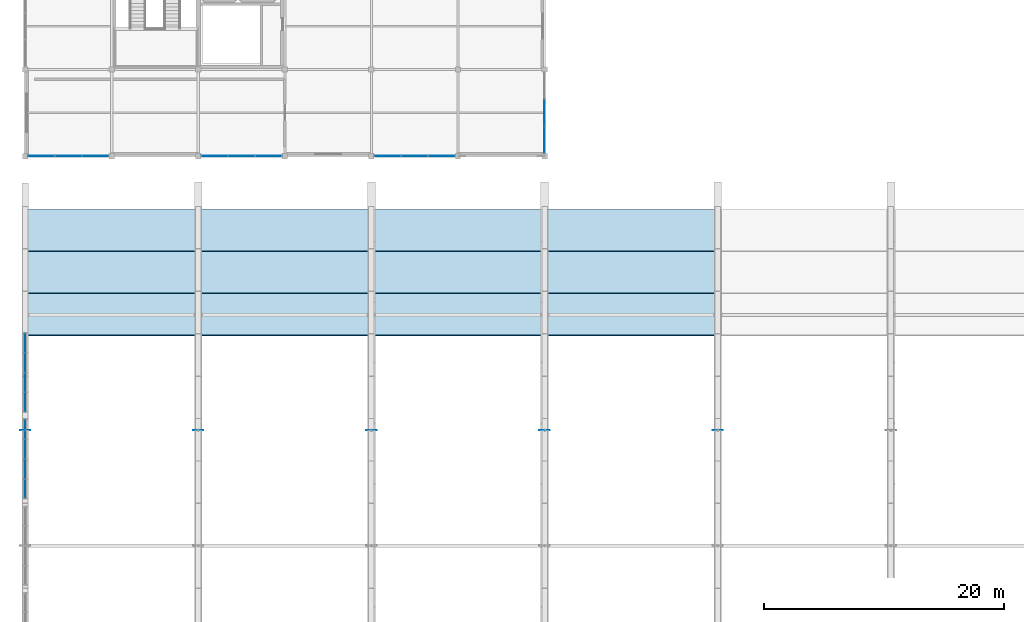
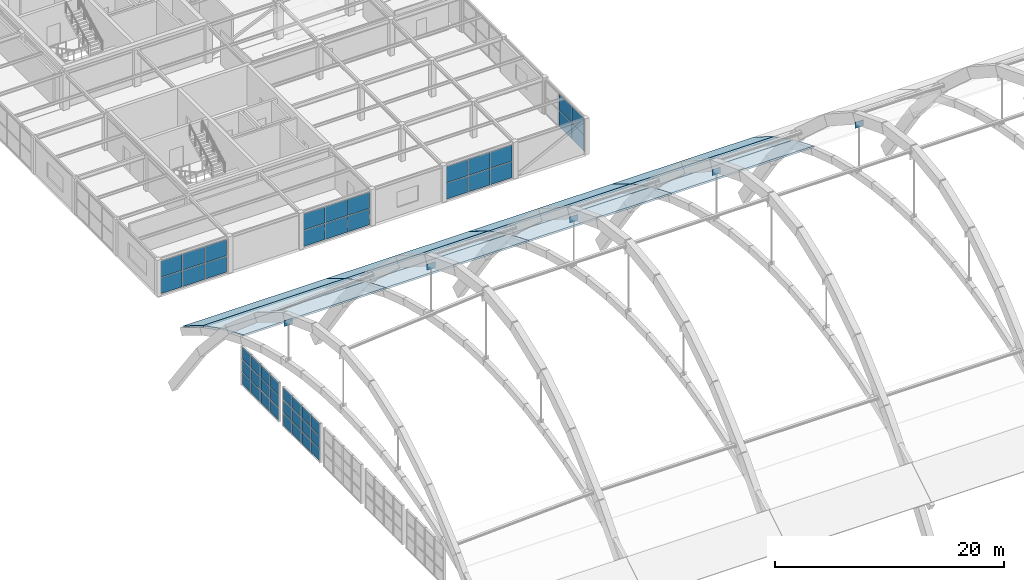
# One storey, part 40 of 64: 51 plates, 12 slabs, 6 elements without a shape of their own.
"""IFC4 building model written with IfcOpenShell, lengths in metres."""

from ifc_helpers import new_model, si_unit, direction, frame, origin, origin_2d, place, context, subcontext, project, spatial, polyline, rectangle, outline, extrude, material, layer, layer_set, type_object, element, aggregate, save


model = new_model("IFC4")

# Units and contexts
model_context = context("Model", 3, precision=1e-05, world=origin(), true_north=direction((0.0, 1.0)))
body_context = subcontext(model_context, "Body", "Model", "MODEL_VIEW")
ifc_project = project(units=[si_unit("LENGTHUNIT", "METRE"), si_unit("AREAUNIT", "SQUARE_METRE"), si_unit("VOLUMEUNIT", "CUBIC_METRE"), si_unit("PLANEANGLEUNIT", "RADIAN"), si_unit("MASSUNIT", "GRAM", prefix="KILO")], contexts=[model_context])

# Site, building, storey
site_placement = place(None, origin())
site = spatial("IfcSite", under=ifc_project, at=site_placement, CompositionType="ELEMENT")
building_placement = place(site_placement, origin())
building = spatial("IfcBuilding", under=site, at=building_placement, Name="Leyfeld Transit Interchange", CompositionType="ELEMENT")
storey_placement = place(building_placement, frame((0.0, 0.0, 9.60009765625)))
storey = spatial("IfcBuildingStorey", under=building, at=storey_placement, Name="L02", CompositionType="ELEMENT", Elevation=9.60009765625)

# Curtain wall, plates
ifc_material_1 = material(Name="Anodised aluminium EN AW-6060 T66", Category="aluminium")
curtain_wall_type_1 = type_object("IfcCurtainWallType", Name="CW-SYS-GAB-7200", PredefinedType="NOTDEFINED", material=ifc_material_1)
curtain_wall_1_placement = place(storey_placement, origin())
curtain_wall_1 = element("IfcCurtainWall", 1, at=curtain_wall_1_placement, inside=storey, type_object=curtain_wall_type_1, Name="Curtain Wall CW-L02-GABW-04", PredefinedType="NOTDEFINED")
ifc_material_2 = material(Name="Laminated safety acoustic glazing", Category="glass")
ifc_layer_1 = layer(ifc_material_2, 0.048095703125, Name="Laminated safety acoustic glazing")
ifc_layer_set_1 = layer_set([ifc_layer_1], Name="Laminated safety acoustic glazing")
plate_type_1 = type_object("IfcPlateType", Name="CW-PNL-ACU-48", PredefinedType="CURTAIN_PANEL", material=ifc_layer_set_1)
plate_1_placement = place(storey_placement, frame((0.0, 37.146240234375, -0.5166015625), z_axis=(0.0, 0.0, 1.0), x_axis=(0.0, 1.0, 0.0)))
plate_1 = element("IfcPlate", 2, at=plate_1_placement, type_object=plate_type_1, Name="Glazed Curtain Panel CW-L02-GABW-04-P01_1", PredefinedType="CURTAIN_PANEL", context=body_context, shape_type="SweptSolid", body=[
    extrude(rectangle(XDim=1.525390625, YDim=0.048095703125, at=origin_2d()), origin(), (0.0, 0.0, 1.0), 1.289794921875),
])
plate_2_placement = place(storey_placement, frame((0.0, 37.146240234375, 0.855224609375), z_axis=(0.0, 0.0, 1.0), x_axis=(0.0, 1.0, 0.0)))
plate_2 = element("IfcPlate", 3, at=plate_2_placement, type_object=plate_type_1, Name="Glazed Curtain Panel CW-L02-GABW-04-P01_2", PredefinedType="CURTAIN_PANEL", context=body_context, shape_type="SweptSolid", body=[
    extrude(rectangle(XDim=1.525390625, YDim=0.048095703125, at=origin_2d()), origin(), (0.0, 0.0, 1.0), 1.28955078125),
])
plate_3_placement = place(storey_placement, frame((0.0, 37.146240234375, 2.2265625), z_axis=(0.0, 0.0, 1.0), x_axis=(0.0, 1.0, 0.0)))
plate_3 = element("IfcPlate", 4, at=plate_3_placement, type_object=plate_type_1, Name="Glazed Curtain Panel CW-L02-GABW-04-P01_3", PredefinedType="CURTAIN_PANEL", context=body_context, shape_type="SweptSolid", body=[
    extrude(rectangle(XDim=1.525390625, YDim=0.048095703125, at=origin_2d()), origin(), (0.0, 0.0, 1.0), 1.289794921875),
])
plate_4_placement = place(storey_placement, frame((0.0, 38.77490234375, -0.5166015625), z_axis=(0.0, 0.0, 1.0), x_axis=(0.0, 1.0, 0.0)))
plate_4 = element("IfcPlate", 5, at=plate_4_placement, type_object=plate_type_1, Name="Glazed Curtain Panel CW-L02-GABW-04-P02_1", PredefinedType="CURTAIN_PANEL", context=body_context, shape_type="SweptSolid", body=[
    extrude(rectangle(XDim=1.568115234375, YDim=0.048095703125, at=origin_2d()), origin(), (0.0, 0.0, 1.0), 1.289794921875),
])
plate_5_placement = place(storey_placement, frame((0.0, 38.77490234375, 0.855224609375), z_axis=(0.0, 0.0, 1.0), x_axis=(0.0, 1.0, 0.0)))
plate_5 = element("IfcPlate", 6, at=plate_5_placement, type_object=plate_type_1, Name="Glazed Curtain Panel CW-L02-GABW-04-P02_2", PredefinedType="CURTAIN_PANEL", context=body_context, shape_type="SweptSolid", body=[
    extrude(rectangle(XDim=1.568115234375, YDim=0.048095703125, at=origin_2d()), origin(), (0.0, 0.0, 1.0), 1.28955078125),
])
plate_6_placement = place(storey_placement, frame((0.0, 38.77490234375, 2.2265625), z_axis=(0.0, 0.0, 1.0), x_axis=(0.0, 1.0, 0.0)))
plate_6 = element("IfcPlate", 7, at=plate_6_placement, type_object=plate_type_1, Name="Glazed Curtain Panel CW-L02-GABW-04-P02_3", PredefinedType="CURTAIN_PANEL", context=body_context, shape_type="SweptSolid", body=[
    extrude(rectangle(XDim=1.568115234375, YDim=0.048095703125, at=origin_2d()), origin(), (0.0, 0.0, 1.0), 1.289794921875),
])
plate_7_placement = place(storey_placement, frame((0.0, 40.425048828125, -0.5166015625), z_axis=(0.0, 0.0, 1.0), x_axis=(0.0, 1.0, 0.0)))
plate_7 = element("IfcPlate", 8, at=plate_7_placement, type_object=plate_type_1, Name="Glazed Curtain Panel CW-L02-GABW-04-P03_1", PredefinedType="CURTAIN_PANEL", context=body_context, shape_type="SweptSolid", body=[
    extrude(rectangle(XDim=1.568115234375, YDim=0.048095703125, at=origin_2d()), origin(), (0.0, 0.0, 1.0), 1.289794921875),
])
plate_8_placement = place(storey_placement, frame((0.0, 40.425048828125, 0.855224609375), z_axis=(0.0, 0.0, 1.0), x_axis=(0.0, 1.0, 0.0)))
plate_8 = element("IfcPlate", 9, at=plate_8_placement, type_object=plate_type_1, Name="Glazed Curtain Panel CW-L02-GABW-04-P03_2", PredefinedType="CURTAIN_PANEL", context=body_context, shape_type="SweptSolid", body=[
    extrude(rectangle(XDim=1.568115234375, YDim=0.048095703125, at=origin_2d()), origin(), (0.0, 0.0, 1.0), 1.28955078125),
])
plate_9_placement = place(storey_placement, frame((0.0, 40.425048828125, 2.2265625), z_axis=(0.0, 0.0, 1.0), x_axis=(0.0, 1.0, 0.0)))
plate_9 = element("IfcPlate", 10, at=plate_9_placement, type_object=plate_type_1, Name="Glazed Curtain Panel CW-L02-GABW-04-P03_3", PredefinedType="CURTAIN_PANEL", context=body_context, shape_type="SweptSolid", body=[
    extrude(rectangle(XDim=1.568115234375, YDim=0.048095703125, at=origin_2d()), origin(), (0.0, 0.0, 1.0), 1.289794921875),
])
plate_10_placement = place(storey_placement, frame((0.0, 42.0537109375, -0.5166015625), z_axis=(0.0, 0.0, 1.0), x_axis=(0.0, 1.0, 0.0)))
plate_10 = element("IfcPlate", 11, at=plate_10_placement, type_object=plate_type_1, Name="Glazed Curtain Panel CW-L02-GABW-04-P04_1", PredefinedType="CURTAIN_PANEL", context=body_context, shape_type="SweptSolid", body=[
    extrude(rectangle(XDim=1.525390625, YDim=0.048095703125, at=origin_2d()), origin(), (0.0, 0.0, 1.0), 1.289794921875),
])
plate_11_placement = place(storey_placement, frame((0.0, 42.0537109375, 0.855224609375), z_axis=(0.0, 0.0, 1.0), x_axis=(0.0, 1.0, 0.0)))
plate_11 = element("IfcPlate", 12, at=plate_11_placement, type_object=plate_type_1, Name="Glazed Curtain Panel CW-L02-GABW-04-P04_2", PredefinedType="CURTAIN_PANEL", context=body_context, shape_type="SweptSolid", body=[
    extrude(rectangle(XDim=1.525390625, YDim=0.048095703125, at=origin_2d()), origin(), (0.0, 0.0, 1.0), 1.28955078125),
])
plate_12_placement = place(storey_placement, frame((0.0, 42.0537109375, 2.2265625), z_axis=(0.0, 0.0, 1.0), x_axis=(0.0, 1.0, 0.0)))
plate_12 = element("IfcPlate", 13, at=plate_12_placement, type_object=plate_type_1, Name="Glazed Curtain Panel CW-L02-GABW-04-P04_3", PredefinedType="CURTAIN_PANEL", context=body_context, shape_type="SweptSolid", body=[
    extrude(rectangle(XDim=1.525390625, YDim=0.048095703125, at=origin_2d()), origin(), (0.0, 0.0, 1.0), 1.289794921875),
])
aggregate(curtain_wall_1, [plate_1, plate_2, plate_3, plate_4, plate_5, plate_6, plate_7, plate_8, plate_9, plate_10, plate_11, plate_12])

curtain_wall_2_placement = place(storey_placement, origin())
curtain_wall_2 = element("IfcCurtainWall", 14, at=curtain_wall_2_placement, inside=storey, type_object=curtain_wall_type_1, Name="Curtain Wall CW-L02-GABW-05", PredefinedType="NOTDEFINED")
plate_13_placement = place(storey_placement, frame((0.0, 44.34619140625, -0.5166015625), z_axis=(0.0, 0.0, 1.0), x_axis=(0.0, 1.0, 0.0)))
plate_13 = element("IfcPlate", 15, at=plate_13_placement, type_object=plate_type_1, Name="Glazed Curtain Panel CW-L02-GABW-05-P01_1", PredefinedType="CURTAIN_PANEL", context=body_context, shape_type="SweptSolid", body=[
    extrude(rectangle(XDim=1.525390625, YDim=0.048095703125, at=origin_2d()), origin(), (0.0, 0.0, 1.0), 1.289794921875),
])
plate_14_placement = place(storey_placement, frame((0.0, 44.34619140625, 0.855224609375), z_axis=(0.0, 0.0, 1.0), x_axis=(0.0, 1.0, 0.0)))
plate_14 = element("IfcPlate", 16, at=plate_14_placement, type_object=plate_type_1, Name="Glazed Curtain Panel CW-L02-GABW-05-P01_2", PredefinedType="CURTAIN_PANEL", context=body_context, shape_type="SweptSolid", body=[
    extrude(rectangle(XDim=1.525390625, YDim=0.048095703125, at=origin_2d()), origin(), (0.0, 0.0, 1.0), 1.28955078125),
])
plate_15_placement = place(storey_placement, frame((0.0, 44.34619140625, 2.2265625), z_axis=(0.0, 0.0, 1.0), x_axis=(0.0, 1.0, 0.0)))
plate_15 = element("IfcPlate", 17, at=plate_15_placement, type_object=plate_type_1, Name="Glazed Curtain Panel CW-L02-GABW-05-P01_3", PredefinedType="CURTAIN_PANEL", context=body_context, shape_type="SweptSolid", body=[
    extrude(rectangle(XDim=1.525390625, YDim=0.048095703125, at=origin_2d()), origin(), (0.0, 0.0, 1.0), 1.289794921875),
])
plate_16_placement = place(storey_placement, frame((0.0, 45.97509765625, -0.5166015625), z_axis=(0.0, 0.0, 1.0), x_axis=(0.0, 1.0, 0.0)))
plate_16 = element("IfcPlate", 18, at=plate_16_placement, type_object=plate_type_1, Name="Glazed Curtain Panel CW-L02-GABW-05-P02_1", PredefinedType="CURTAIN_PANEL", context=body_context, shape_type="SweptSolid", body=[
    extrude(rectangle(XDim=1.568115234375, YDim=0.048095703125, at=origin_2d()), origin(), (0.0, 0.0, 1.0), 1.289794921875),
])
plate_17_placement = place(storey_placement, frame((0.0, 45.97509765625, 0.855224609375), z_axis=(0.0, 0.0, 1.0), x_axis=(0.0, 1.0, 0.0)))
plate_17 = element("IfcPlate", 19, at=plate_17_placement, type_object=plate_type_1, Name="Glazed Curtain Panel CW-L02-GABW-05-P02_2", PredefinedType="CURTAIN_PANEL", context=body_context, shape_type="SweptSolid", body=[
    extrude(rectangle(XDim=1.568115234375, YDim=0.048095703125, at=origin_2d()), origin(), (0.0, 0.0, 1.0), 1.28955078125),
])
plate_18_placement = place(storey_placement, frame((0.0, 45.97509765625, 2.2265625), z_axis=(0.0, 0.0, 1.0), x_axis=(0.0, 1.0, 0.0)))
plate_18 = element("IfcPlate", 20, at=plate_18_placement, type_object=plate_type_1, Name="Glazed Curtain Panel CW-L02-GABW-05-P02_3", PredefinedType="CURTAIN_PANEL", context=body_context, shape_type="SweptSolid", body=[
    extrude(rectangle(XDim=1.568115234375, YDim=0.048095703125, at=origin_2d()), origin(), (0.0, 0.0, 1.0), 1.289794921875),
])
plate_19_placement = place(storey_placement, frame((0.0, 47.625, -0.5166015625), z_axis=(0.0, 0.0, 1.0), x_axis=(0.0, 1.0, 0.0)))
plate_19 = element("IfcPlate", 21, at=plate_19_placement, type_object=plate_type_1, Name="Glazed Curtain Panel CW-L02-GABW-05-P03_1", PredefinedType="CURTAIN_PANEL", context=body_context, shape_type="SweptSolid", body=[
    extrude(rectangle(XDim=1.568115234375, YDim=0.048095703125, at=origin_2d()), origin(), (0.0, 0.0, 1.0), 1.289794921875),
])
plate_20_placement = place(storey_placement, frame((0.0, 47.625, 0.855224609375), z_axis=(0.0, 0.0, 1.0), x_axis=(0.0, 1.0, 0.0)))
plate_20 = element("IfcPlate", 22, at=plate_20_placement, type_object=plate_type_1, Name="Glazed Curtain Panel CW-L02-GABW-05-P03_2", PredefinedType="CURTAIN_PANEL", context=body_context, shape_type="SweptSolid", body=[
    extrude(rectangle(XDim=1.568115234375, YDim=0.048095703125, at=origin_2d()), origin(), (0.0, 0.0, 1.0), 1.28955078125),
])
plate_21_placement = place(storey_placement, frame((0.0, 47.625, 2.2265625), z_axis=(0.0, 0.0, 1.0), x_axis=(0.0, 1.0, 0.0)))
plate_21 = element("IfcPlate", 23, at=plate_21_placement, type_object=plate_type_1, Name="Glazed Curtain Panel CW-L02-GABW-05-P03_3", PredefinedType="CURTAIN_PANEL", context=body_context, shape_type="SweptSolid", body=[
    extrude(rectangle(XDim=1.568115234375, YDim=0.048095703125, at=origin_2d()), origin(), (0.0, 0.0, 1.0), 1.289794921875),
])
plate_22_placement = place(storey_placement, frame((0.0, 49.253662109375, -0.5166015625), z_axis=(0.0, 0.0, 1.0), x_axis=(0.0, 1.0, 0.0)))
plate_22 = element("IfcPlate", 24, at=plate_22_placement, type_object=plate_type_1, Name="Glazed Curtain Panel CW-L02-GABW-05-P04_1", PredefinedType="CURTAIN_PANEL", context=body_context, shape_type="SweptSolid", body=[
    extrude(rectangle(XDim=1.525390625, YDim=0.048095703125, at=origin_2d()), origin(), (0.0, 0.0, 1.0), 1.289794921875),
])
plate_23_placement = place(storey_placement, frame((0.0, 49.253662109375, 0.855224609375), z_axis=(0.0, 0.0, 1.0), x_axis=(0.0, 1.0, 0.0)))
plate_23 = element("IfcPlate", 25, at=plate_23_placement, type_object=plate_type_1, Name="Glazed Curtain Panel CW-L02-GABW-05-P04_2", PredefinedType="CURTAIN_PANEL", context=body_context, shape_type="SweptSolid", body=[
    extrude(rectangle(XDim=1.525390625, YDim=0.048095703125, at=origin_2d()), origin(), (0.0, 0.0, 1.0), 1.28955078125),
])
plate_24_placement = place(storey_placement, frame((0.0, 49.253662109375, 2.2265625), z_axis=(0.0, 0.0, 1.0), x_axis=(0.0, 1.0, 0.0)))
plate_24 = element("IfcPlate", 26, at=plate_24_placement, type_object=plate_type_1, Name="Glazed Curtain Panel CW-L02-GABW-05-P04_3", PredefinedType="CURTAIN_PANEL", context=body_context, shape_type="SweptSolid", body=[
    extrude(rectangle(XDim=1.525390625, YDim=0.048095703125, at=origin_2d()), origin(), (0.0, 0.0, 1.0), 1.289794921875),
])
aggregate(curtain_wall_2, [plate_13, plate_14, plate_15, plate_16, plate_17, plate_18, plate_19, plate_20, plate_21, plate_22, plate_23, plate_24])

curtain_wall_type_2 = type_object("IfcCurtainWallType", Name="CW-SYS-CYC-7200", PredefinedType="NOTDEFINED", material=ifc_material_1)
curtain_wall_3_placement = place(storey_placement, origin())
curtain_wall_3 = element("IfcCurtainWall", 27, at=curtain_wall_3_placement, inside=storey, type_object=curtain_wall_type_2, Name="Curtain Wall CW-L02-106", PredefinedType="NOTDEFINED")
ifc_material_3 = material(Name="Triple low-E insulated glazing", Category="glass")
ifc_layer_2 = layer(ifc_material_3, 0.0380859375, Name="Triple low-E insulated glazing")
ifc_layer_set_2 = layer_set([ifc_layer_2], Name="Triple low-E insulated glazing")
plate_type_2 = type_object("IfcPlateType", Name="CW-PNL-GLZ-38", PredefinedType="CURTAIN_PANEL", material=ifc_layer_set_2)
plate_25_placement = place(storey_placement, frame((43.199951171875, 68.39990234375, 0.063232421875), z_axis=(0.0, 0.0, 1.0), x_axis=(0.0, -1.0, 0.0)))
plate_25 = element("IfcPlate", 28, at=plate_25_placement, type_object=plate_type_2, Name="Glazed Curtain Panel CW-L02-106-P02_1", PredefinedType="CURTAIN_PANEL", context=body_context, shape_type="SweptSolid", body=[
    extrude(rectangle(XDim=2.194580078125, YDim=0.0380859375, at=origin_2d()), origin(), (0.0, 0.0, 1.0), 1.70556640625),
])
plate_26_placement = place(storey_placement, frame((43.199951171875, 68.39990234375, 1.830810546875), z_axis=(0.0, 0.0, 1.0), x_axis=(0.0, -1.0, 0.0)))
plate_26 = element("IfcPlate", 29, at=plate_26_placement, type_object=plate_type_2, Name="Glazed Curtain Panel CW-L02-106-P02_2", PredefinedType="CURTAIN_PANEL", context=body_context, shape_type="SweptSolid", body=[
    extrude(rectangle(XDim=2.194580078125, YDim=0.0380859375, at=origin_2d()), origin(), (0.0, 0.0, 1.0), 1.70556640625),
])
plate_27_placement = place(storey_placement, frame((43.199951171875, 66.15966796875, 0.063232421875), z_axis=(0.0, 0.0, 1.0), x_axis=(0.0, -1.0, 0.0)))
plate_27 = element("IfcPlate", 30, at=plate_27_placement, type_object=plate_type_2, Name="Glazed Curtain Panel CW-L02-106-P03_1", PredefinedType="CURTAIN_PANEL", context=body_context, shape_type="SweptSolid", body=[
    extrude(rectangle(XDim=2.162109375, YDim=0.0380859375, at=origin_2d()), origin(), (0.0, 0.0, 1.0), 1.70556640625),
])
plate_28_placement = place(storey_placement, frame((43.199951171875, 66.15966796875, 1.830810546875), z_axis=(0.0, 0.0, 1.0), x_axis=(0.0, -1.0, 0.0)))
plate_28 = element("IfcPlate", 31, at=plate_28_placement, type_object=plate_type_2, Name="Glazed Curtain Panel CW-L02-106-P03_2", PredefinedType="CURTAIN_PANEL", context=body_context, shape_type="SweptSolid", body=[
    extrude(rectangle(XDim=2.162109375, YDim=0.0380859375, at=origin_2d()), origin(), (0.0, 0.0, 1.0), 1.70556640625),
])
aggregate(curtain_wall_3, [plate_25, plate_26, plate_27, plate_28])

curtain_wall_4_placement = place(storey_placement, origin())
curtain_wall_4 = element("IfcCurtainWall", 32, at=curtain_wall_4_placement, inside=storey, type_object=curtain_wall_type_2, Name="Curtain Wall CW-L02-107", PredefinedType="NOTDEFINED")
plate_29_placement = place(storey_placement, frame((34.640380859375, 64.800048828125, 0.063232421875), z_axis=(0.0, 0.0, 1.0), x_axis=(-1.0, 0.0, 0.0)))
plate_29 = element("IfcPlate", 33, at=plate_29_placement, type_object=plate_type_2, Name="Glazed Curtain Panel CW-L02-107-P01_1", PredefinedType="CURTAIN_PANEL", context=body_context, shape_type="SweptSolid", body=[
    extrude(rectangle(XDim=2.162109375, YDim=0.0380859375, at=origin_2d()), origin(), (0.0, 0.0, 1.0), 1.70556640625),
])
plate_30_placement = place(storey_placement, frame((34.640380859375, 64.800048828125, 1.830810546875), z_axis=(0.0, 0.0, 1.0), x_axis=(-1.0, 0.0, 0.0)))
plate_30 = element("IfcPlate", 34, at=plate_30_placement, type_object=plate_type_2, Name="Glazed Curtain Panel CW-L02-107-P01_2", PredefinedType="CURTAIN_PANEL", context=body_context, shape_type="SweptSolid", body=[
    extrude(rectangle(XDim=2.162109375, YDim=0.0380859375, at=origin_2d()), origin(), (0.0, 0.0, 1.0), 1.70556640625),
])
plate_31_placement = place(storey_placement, frame((32.39990234375, 64.800048828125, 0.063232421875), z_axis=(0.0, 0.0, 1.0), x_axis=(-1.0, 0.0, 0.0)))
plate_31 = element("IfcPlate", 35, at=plate_31_placement, type_object=plate_type_2, Name="Glazed Curtain Panel CW-L02-107-P02_1", PredefinedType="CURTAIN_PANEL", context=body_context, shape_type="SweptSolid", body=[
    extrude(rectangle(XDim=2.194580078125, YDim=0.0380859375, at=origin_2d()), origin(), (0.0, 0.0, 1.0), 1.70556640625),
])
plate_32_placement = place(storey_placement, frame((32.39990234375, 64.800048828125, 1.830810546875), z_axis=(0.0, 0.0, 1.0), x_axis=(-1.0, 0.0, 0.0)))
plate_32 = element("IfcPlate", 36, at=plate_32_placement, type_object=plate_type_2, Name="Glazed Curtain Panel CW-L02-107-P02_2", PredefinedType="CURTAIN_PANEL", context=body_context, shape_type="SweptSolid", body=[
    extrude(rectangle(XDim=2.194580078125, YDim=0.0380859375, at=origin_2d()), origin(), (0.0, 0.0, 1.0), 1.70556640625),
])
plate_33_placement = place(storey_placement, frame((30.15966796875, 64.800048828125, 0.063232421875), z_axis=(0.0, 0.0, 1.0), x_axis=(-1.0, 0.0, 0.0)))
plate_33 = element("IfcPlate", 37, at=plate_33_placement, type_object=plate_type_2, Name="Glazed Curtain Panel CW-L02-107-P03_1", PredefinedType="CURTAIN_PANEL", context=body_context, shape_type="SweptSolid", body=[
    extrude(rectangle(XDim=2.162109375, YDim=0.0380859375, at=origin_2d()), origin(), (0.0, 0.0, 1.0), 1.70556640625),
])
plate_34_placement = place(storey_placement, frame((30.15966796875, 64.800048828125, 1.830810546875), z_axis=(0.0, 0.0, 1.0), x_axis=(-1.0, 0.0, 0.0)))
plate_34 = element("IfcPlate", 38, at=plate_34_placement, type_object=plate_type_2, Name="Glazed Curtain Panel CW-L02-107-P03_2", PredefinedType="CURTAIN_PANEL", context=body_context, shape_type="SweptSolid", body=[
    extrude(rectangle(XDim=2.162109375, YDim=0.0380859375, at=origin_2d()), origin(), (0.0, 0.0, 1.0), 1.70556640625),
])
aggregate(curtain_wall_4, [plate_29, plate_30, plate_31, plate_32, plate_33, plate_34])

curtain_wall_5_placement = place(storey_placement, origin())
curtain_wall_5 = element("IfcCurtainWall", 39, at=curtain_wall_5_placement, inside=storey, type_object=curtain_wall_type_2, Name="Curtain Wall CW-L02-108", PredefinedType="NOTDEFINED")
plate_35_placement = place(storey_placement, frame((20.240478515625, 64.800048828125, 0.063232421875), z_axis=(0.0, 0.0, 1.0), x_axis=(-1.0, 0.0, 0.0)))
plate_35 = element("IfcPlate", 40, at=plate_35_placement, type_object=plate_type_2, Name="Glazed Curtain Panel CW-L02-108-P01_1", PredefinedType="CURTAIN_PANEL", context=body_context, shape_type="SweptSolid", body=[
    extrude(rectangle(XDim=2.162109375, YDim=0.0380859375, at=origin_2d()), origin(), (0.0, 0.0, 1.0), 1.70556640625),
])
plate_36_placement = place(storey_placement, frame((20.240478515625, 64.800048828125, 1.830810546875), z_axis=(0.0, 0.0, 1.0), x_axis=(-1.0, 0.0, 0.0)))
plate_36 = element("IfcPlate", 41, at=plate_36_placement, type_object=plate_type_2, Name="Glazed Curtain Panel CW-L02-108-P01_2", PredefinedType="CURTAIN_PANEL", context=body_context, shape_type="SweptSolid", body=[
    extrude(rectangle(XDim=2.162109375, YDim=0.0380859375, at=origin_2d()), origin(), (0.0, 0.0, 1.0), 1.70556640625),
])
plate_37_placement = place(storey_placement, frame((18.0, 64.800048828125, 0.063232421875), z_axis=(0.0, 0.0, 1.0), x_axis=(-1.0, 0.0, 0.0)))
plate_37 = element("IfcPlate", 42, at=plate_37_placement, type_object=plate_type_2, Name="Glazed Curtain Panel CW-L02-108-P02_1", PredefinedType="CURTAIN_PANEL", context=body_context, shape_type="SweptSolid", body=[
    extrude(rectangle(XDim=2.194580078125, YDim=0.0380859375, at=origin_2d()), origin(), (0.0, 0.0, 1.0), 1.70556640625),
])
plate_38_placement = place(storey_placement, frame((18.0, 64.800048828125, 1.830810546875), z_axis=(0.0, 0.0, 1.0), x_axis=(-1.0, 0.0, 0.0)))
plate_38 = element("IfcPlate", 43, at=plate_38_placement, type_object=plate_type_2, Name="Glazed Curtain Panel CW-L02-108-P02_2", PredefinedType="CURTAIN_PANEL", context=body_context, shape_type="SweptSolid", body=[
    extrude(rectangle(XDim=2.194580078125, YDim=0.0380859375, at=origin_2d()), origin(), (0.0, 0.0, 1.0), 1.70556640625),
])
plate_39_placement = place(storey_placement, frame((15.759521484375, 64.800048828125, 0.063232421875), z_axis=(0.0, 0.0, 1.0), x_axis=(-1.0, 0.0, 0.0)))
plate_39 = element("IfcPlate", 44, at=plate_39_placement, type_object=plate_type_2, Name="Glazed Curtain Panel CW-L02-108-P03_1", PredefinedType="CURTAIN_PANEL", context=body_context, shape_type="SweptSolid", body=[
    extrude(rectangle(XDim=2.162109375, YDim=0.0380859375, at=origin_2d()), origin(), (0.0, 0.0, 1.0), 1.70556640625),
])
plate_40_placement = place(storey_placement, frame((15.759521484375, 64.800048828125, 1.830810546875), z_axis=(0.0, 0.0, 1.0), x_axis=(-1.0, 0.0, 0.0)))
plate_40 = element("IfcPlate", 45, at=plate_40_placement, type_object=plate_type_2, Name="Glazed Curtain Panel CW-L02-108-P03_2", PredefinedType="CURTAIN_PANEL", context=body_context, shape_type="SweptSolid", body=[
    extrude(rectangle(XDim=2.162109375, YDim=0.0380859375, at=origin_2d()), origin(), (0.0, 0.0, 1.0), 1.70556640625),
])
aggregate(curtain_wall_5, [plate_35, plate_36, plate_37, plate_38, plate_39, plate_40])

curtain_wall_6_placement = place(storey_placement, origin())
curtain_wall_6 = element("IfcCurtainWall", 46, at=curtain_wall_6_placement, inside=storey, type_object=curtain_wall_type_2, Name="Curtain Wall CW-L02-109", PredefinedType="NOTDEFINED")
plate_41_placement = place(storey_placement, frame((5.84033203125, 64.800048828125, 0.063232421875), z_axis=(0.0, 0.0, 1.0), x_axis=(-1.0, 0.0, 0.0)))
plate_41 = element("IfcPlate", 47, at=plate_41_placement, type_object=plate_type_2, Name="Glazed Curtain Panel CW-L02-109-P01_1", PredefinedType="CURTAIN_PANEL", context=body_context, shape_type="SweptSolid", body=[
    extrude(rectangle(XDim=2.162109375, YDim=0.0380859375, at=origin_2d()), origin(), (0.0, 0.0, 1.0), 1.70556640625),
])
plate_42_placement = place(storey_placement, frame((5.84033203125, 64.800048828125, 1.830810546875), z_axis=(0.0, 0.0, 1.0), x_axis=(-1.0, 0.0, 0.0)))
plate_42 = element("IfcPlate", 48, at=plate_42_placement, type_object=plate_type_2, Name="Glazed Curtain Panel CW-L02-109-P01_2", PredefinedType="CURTAIN_PANEL", context=body_context, shape_type="SweptSolid", body=[
    extrude(rectangle(XDim=2.162109375, YDim=0.0380859375, at=origin_2d()), origin(), (0.0, 0.0, 1.0), 1.70556640625),
])
plate_43_placement = place(storey_placement, frame((3.60009765625, 64.800048828125, 0.063232421875), z_axis=(0.0, 0.0, 1.0), x_axis=(-1.0, 0.0, 0.0)))
plate_43 = element("IfcPlate", 49, at=plate_43_placement, type_object=plate_type_2, Name="Glazed Curtain Panel CW-L02-109-P02_1", PredefinedType="CURTAIN_PANEL", context=body_context, shape_type="SweptSolid", body=[
    extrude(rectangle(XDim=2.194580078125, YDim=0.0380859375, at=origin_2d()), origin(), (0.0, 0.0, 1.0), 1.70556640625),
])
plate_44_placement = place(storey_placement, frame((3.60009765625, 64.800048828125, 1.830810546875), z_axis=(0.0, 0.0, 1.0), x_axis=(-1.0, 0.0, 0.0)))
plate_44 = element("IfcPlate", 50, at=plate_44_placement, type_object=plate_type_2, Name="Glazed Curtain Panel CW-L02-109-P02_2", PredefinedType="CURTAIN_PANEL", context=body_context, shape_type="SweptSolid", body=[
    extrude(rectangle(XDim=2.194580078125, YDim=0.0380859375, at=origin_2d()), origin(), (0.0, 0.0, 1.0), 1.70556640625),
])
plate_45_placement = place(storey_placement, frame((1.359619140625, 64.800048828125, 0.063232421875), z_axis=(0.0, 0.0, 1.0), x_axis=(-1.0, 0.0, 0.0)))
plate_45 = element("IfcPlate", 51, at=plate_45_placement, type_object=plate_type_2, Name="Glazed Curtain Panel CW-L02-109-P03_1", PredefinedType="CURTAIN_PANEL", context=body_context, shape_type="SweptSolid", body=[
    extrude(rectangle(XDim=2.162109375, YDim=0.0380859375, at=origin_2d()), origin(), (0.0, 0.0, 1.0), 1.70556640625),
])
plate_46_placement = place(storey_placement, frame((1.359619140625, 64.800048828125, 1.830810546875), z_axis=(0.0, 0.0, 1.0), x_axis=(-1.0, 0.0, 0.0)))
plate_46 = element("IfcPlate", 52, at=plate_46_placement, type_object=plate_type_2, Name="Glazed Curtain Panel CW-L02-109-P03_2", PredefinedType="CURTAIN_PANEL", context=body_context, shape_type="SweptSolid", body=[
    extrude(rectangle(XDim=2.162109375, YDim=0.0380859375, at=origin_2d()), origin(), (0.0, 0.0, 1.0), 1.70556640625),
])
aggregate(curtain_wall_6, [plate_41, plate_42, plate_43, plate_44, plate_45, plate_46])

# Plates
ifc_material_4 = material(Name="Steel S355J2", Category="steel")
ifc_layer_3 = layer(ifc_material_4, 0.031982421875, Name="Steel S355J2")
ifc_layer_set_3 = layer_set([ifc_layer_3], Name="Steel S355J2")
plate_type_3 = type_object("IfcPlateType", Name="PLT-GUS-32", PredefinedType="SHEET", material=ifc_layer_set_3)
for number, where, z_axis, x_axis, name in (
    (53, (0.0, 42.0, 10.634765625), (0.0, 0.0, 1.0), (1.0, 0.0, 0.0), "Hanger Upper Gusset Plate GP-W H5"),
    (54, (14.39990234375, 42.0, 11.59765625), (0.0, 0.0, 1.0), (1.0, 0.0, 0.0), "Hanger Upper Gusset Plate AR-01 H5"),
    (55, (28.800048828125, 42.0, 11.59765625), (0.0, 0.0, 1.0), (1.0, 0.0, 0.0), "Hanger Upper Gusset Plate AR-02 H5"),
    (56, (43.199951171875, 42.0, 11.59765625), (0.0, 0.0, 1.0), (1.0, 0.0, 0.0), "Hanger Upper Gusset Plate AR-03 H5"),
    (57, (57.60009765625, 42.0, 11.59765625), (0.0, 0.0, 1.0), (1.0, 0.0, 0.0), "Hanger Upper Gusset Plate AR-04 H5"),
):
    element("IfcPlate", number, at=place(storey_placement, frame(where, z_axis=z_axis, x_axis=x_axis)), inside=storey, type_object=plate_type_3, Name=name, PredefinedType="SHEET", context=body_context, shape_type="SweptSolid", body=[
        extrude(rectangle(XDim=0.85009765625, YDim=0.031982421875, at=origin_2d()), origin(), (0.0, 0.0, 1.0), 0.64990234375),
    ])

# Slabs
ifc_material_5 = material(Name="Concrete C40/50", Category="concrete")
ifc_layer_4 = layer(ifc_material_5, 0.159912109375, Name="Concrete C40/50")
ifc_layer_set_4 = layer_set([ifc_layer_4], Name="Concrete C40/50")
slab_type_1 = type_object("IfcSlabType", Name="SLB-VAULT-160", PredefinedType="ROOF", material=ifc_layer_set_4)
slab_1_placement = place(storey_placement, frame((0.010009765625, 49.919921875, 4.805419921875), z_axis=(0.0, 0.385336514748, 0.922776121495), x_axis=(1.0, 0.0, 0.0)))
element("IfcSlab", 58, at=slab_1_placement, inside=storey, type_object=slab_type_1, Name="Concourse Barrel Vault Shell B1 F14", PredefinedType="ROOF", context=body_context, shape_type="SweptSolid", body=[
    extrude(outline(polyline([(0.0, 0.0), (14.3798828125, 0.0), (14.3798828125, 3.7495128633080363), (0.0, 3.7495128633080363), (0.0, 0.0)])), origin(), (0.0, 0.0, -1.0), 0.159912109375),
])
slab_2_placement = place(storey_placement, frame((0.010009765625, 53.419921875, 3.34228515625), z_axis=(0.0, 0.455386646839, 0.890293772797), x_axis=(1.0, 0.0, 0.0)))
element("IfcSlab", 59, at=slab_2_placement, inside=storey, type_object=slab_type_1, Name="Concourse Barrel Vault Shell B1 F15", PredefinedType="ROOF", context=body_context, shape_type="SweptSolid", body=[
    extrude(outline(polyline([(0.0, 0.0), (14.3798828125, 0.0), (14.3798828125, 3.8863137575712736), (0.0, 3.8863137575712736), (0.0, 0.0)])), origin(), (0.0, 0.0, -1.0), 0.159912109375),
])
slab_3_placement = place(storey_placement, frame((14.409912109375, 49.919921875, 4.805419921875), z_axis=(0.0, 0.385336514748, 0.922776121495), x_axis=(1.0, 0.0, 0.0)))
element("IfcSlab", 60, at=slab_3_placement, inside=storey, type_object=slab_type_1, Name="Concourse Barrel Vault Shell B2 F14", PredefinedType="ROOF", context=body_context, shape_type="SweptSolid", body=[
    extrude(outline(polyline([(0.0, 0.0), (14.380126953125, 0.0), (14.380126953125, 3.749512863308036), (0.0, 3.749512863308036), (0.0, 0.0)])), origin(), (0.0, 0.0, -1.0), 0.159912109375),
])
slab_4_placement = place(storey_placement, frame((14.409912109375, 53.419921875, 3.34228515625), z_axis=(0.0, 0.455386646839, 0.890293772797), x_axis=(1.0, 0.0, 0.0)))
element("IfcSlab", 61, at=slab_4_placement, inside=storey, type_object=slab_type_1, Name="Concourse Barrel Vault Shell B2 F15", PredefinedType="ROOF", context=body_context, shape_type="SweptSolid", body=[
    extrude(outline(polyline([(0.0, 0.0), (14.380126953125, 0.0), (14.380126953125, 3.8863137575712736), (0.0, 3.8863137575712736), (0.0, 0.0)])), origin(), (0.0, 0.0, -1.0), 0.159912109375),
])
slab_5_placement = place(storey_placement, frame((28.81005859375, 49.919921875, 4.805419921875), z_axis=(0.0, 0.385336514748, 0.922776121495), x_axis=(1.0, 0.0, 0.0)))
element("IfcSlab", 62, at=slab_5_placement, inside=storey, type_object=slab_type_1, Name="Concourse Barrel Vault Shell B3 F14", PredefinedType="ROOF", context=body_context, shape_type="SweptSolid", body=[
    extrude(outline(polyline([(0.0, 0.0), (14.3798828125, 0.0), (14.3798828125, 3.7495128633080363), (0.0, 3.7495128633080363), (0.0, 0.0)])), origin(), (0.0, 0.0, -1.0), 0.159912109375),
])
slab_6_placement = place(storey_placement, frame((28.81005859375, 53.419921875, 3.34228515625), z_axis=(0.0, 0.455386646839, 0.890293772797), x_axis=(1.0, 0.0, 0.0)))
element("IfcSlab", 63, at=slab_6_placement, inside=storey, type_object=slab_type_1, Name="Concourse Barrel Vault Shell B3 F15", PredefinedType="ROOF", context=body_context, shape_type="SweptSolid", body=[
    extrude(outline(polyline([(0.0, 0.0), (14.3798828125, 0.0), (14.3798828125, 3.8863137575712736), (0.0, 3.8863137575712736), (0.0, 0.0)])), origin(), (0.0, 0.0, -1.0), 0.159912109375),
])
slab_7_placement = place(storey_placement, frame((43.2099609375, 49.919921875, 4.805419921875), z_axis=(0.0, 0.385336514748, 0.922776121495), x_axis=(1.0, 0.0, 0.0)))
element("IfcSlab", 64, at=slab_7_placement, inside=storey, type_object=slab_type_1, Name="Concourse Barrel Vault Shell B4 F14", PredefinedType="ROOF", context=body_context, shape_type="SweptSolid", body=[
    extrude(outline(polyline([(0.0, 0.0), (14.380126953125, 0.0), (14.380126953125, 3.749512863308036), (0.0, 3.749512863308036), (0.0, 0.0)])), origin(), (0.0, 0.0, -1.0), 0.159912109375),
])
slab_8_placement = place(storey_placement, frame((43.2099609375, 53.419921875, 3.34228515625), z_axis=(0.0, 0.455386646839, 0.890293772797), x_axis=(1.0, 0.0, 0.0)))
element("IfcSlab", 65, at=slab_8_placement, inside=storey, type_object=slab_type_1, Name="Concourse Barrel Vault Shell B4 F15", PredefinedType="ROOF", context=body_context, shape_type="SweptSolid", body=[
    extrude(outline(polyline([(0.0, 0.0), (14.380126953125, 0.0), (14.380126953125, 3.8863137575712736), (0.0, 3.8863137575712736), (0.0, 0.0)])), origin(), (0.0, 0.0, -1.0), 0.159912109375),
])
ifc_layer_5 = layer(ifc_material_5, 0.175048828125, Name="Concrete C40/50")
ifc_layer_set_5 = layer_set([ifc_layer_5], Name="Concrete C40/50")
slab_type_2 = type_object("IfcSlabType", Name="SLB-VAULT-175", PredefinedType="ROOF", material=ifc_layer_set_5)
slab_9_placement = place(storey_placement, frame((0.010009765625, 56.919921875, 1.550048828125), z_axis=(0.0, 0.525436640298, 0.850832731524), x_axis=(1.0, 0.0, 0.0)))
element("IfcSlab", 66, at=slab_9_placement, inside=storey, type_object=slab_type_2, Name="Concourse Barrel Vault Shell B1 F16", PredefinedType="ROOF", context=body_context, shape_type="SweptSolid", body=[
    extrude(outline(polyline([(0.0, 0.0), (14.3798828125, 0.0), (14.3798828125, 4.066558336680718), (0.0, 4.066558336680718), (0.0, 0.0)])), origin(), (0.0, 0.0, -1.0), 0.175048828125),
])
slab_10_placement = place(storey_placement, frame((14.409912109375, 56.919921875, 1.550048828125), z_axis=(0.0, 0.525436640298, 0.850832731524), x_axis=(1.0, 0.0, 0.0)))
element("IfcSlab", 67, at=slab_10_placement, inside=storey, type_object=slab_type_2, Name="Concourse Barrel Vault Shell B2 F16", PredefinedType="ROOF", context=body_context, shape_type="SweptSolid", body=[
    extrude(outline(polyline([(0.0, 0.0), (14.380126953125, 0.0), (14.380126953125, 4.066558336680718), (0.0, 4.066558336680718), (0.0, 0.0)])), origin(), (0.0, 0.0, -1.0), 0.175048828125),
])
slab_11_placement = place(storey_placement, frame((28.81005859375, 56.919921875, 1.550048828125), z_axis=(0.0, 0.525436640298, 0.850832731524), x_axis=(1.0, 0.0, 0.0)))
element("IfcSlab", 68, at=slab_11_placement, inside=storey, type_object=slab_type_2, Name="Concourse Barrel Vault Shell B3 F16", PredefinedType="ROOF", context=body_context, shape_type="SweptSolid", body=[
    extrude(outline(polyline([(0.0, 0.0), (14.3798828125, 0.0), (14.3798828125, 4.066558336680718), (0.0, 4.066558336680718), (0.0, 0.0)])), origin(), (0.0, 0.0, -1.0), 0.175048828125),
])
slab_12_placement = place(storey_placement, frame((43.2099609375, 56.919921875, 1.550048828125), z_axis=(0.0, 0.525436640298, 0.850832731524), x_axis=(1.0, 0.0, 0.0)))
element("IfcSlab", 69, at=slab_12_placement, inside=storey, type_object=slab_type_2, Name="Concourse Barrel Vault Shell B4 F16", PredefinedType="ROOF", context=body_context, shape_type="SweptSolid", body=[
    extrude(outline(polyline([(0.0, 0.0), (14.380126953125, 0.0), (14.380126953125, 4.066558336680718), (0.0, 4.066558336680718), (0.0, 0.0)])), origin(), (0.0, 0.0, -1.0), 0.175048828125),
])

save(model, "model.ifc")
